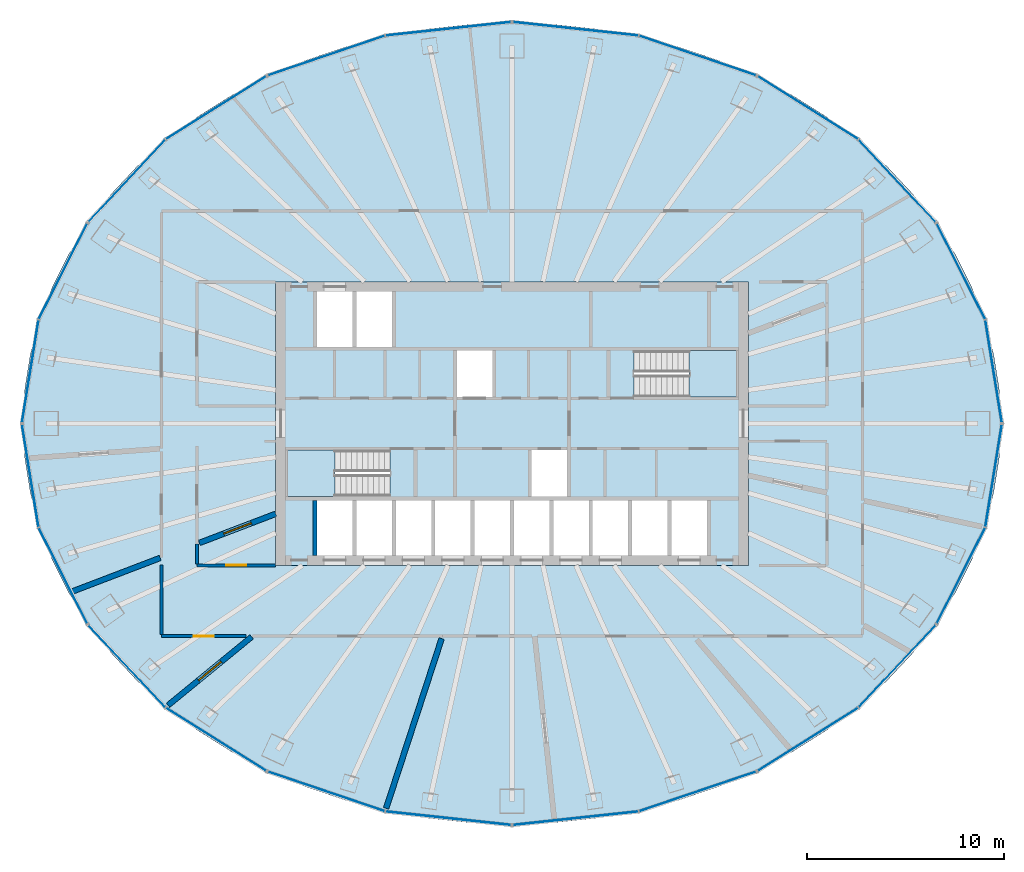
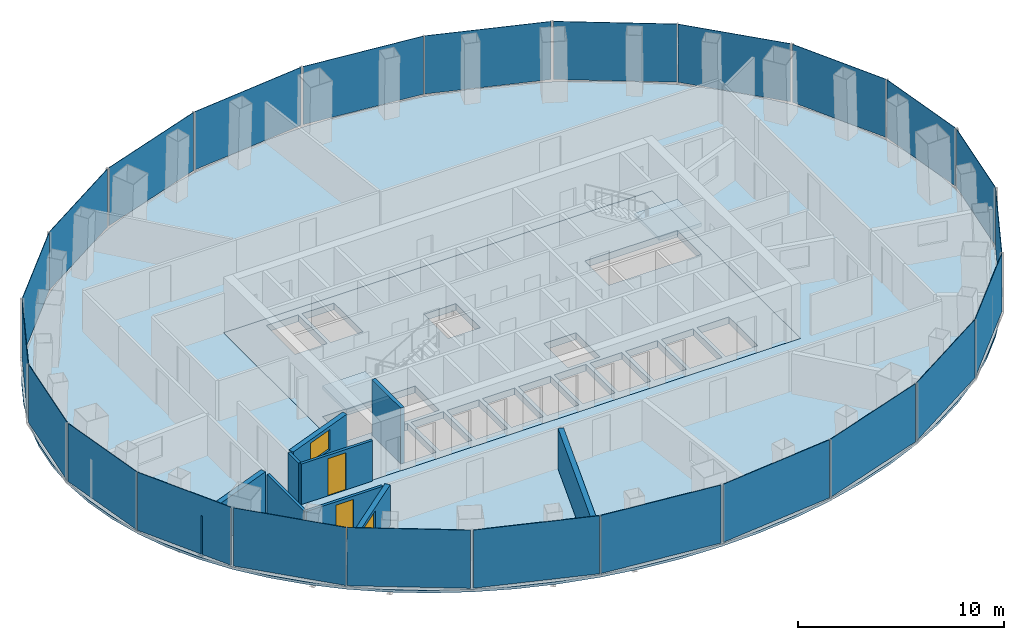
# One storey, part 7 of 12: 24 plates, 9 walls, 4 slabs, 2 doors, 2 windows, 4 openings, 14 elements without a shape of their own.
"""IFC4 building model written with IfcOpenShell, lengths in metres."""

from ifc_helpers import new_model, si_unit, direction, frame, frame_2d, origin, origin_2d, place, context, subcontext, project, spatial, polyline, rectangle, outline, extrude, material, layer, layer_set, type_object, element, fill, aggregate, save


model = new_model("IFC4")

# Units and contexts
model_context = context("Model", 3, precision=1e-05, world=origin(), true_north=direction((0.0, 1.0)))
body_context = subcontext(model_context, "Body", "Model", "MODEL_VIEW")
ifc_project = project(units=[si_unit("LENGTHUNIT", "METRE"), si_unit("AREAUNIT", "SQUARE_METRE"), si_unit("VOLUMEUNIT", "CUBIC_METRE"), si_unit("PLANEANGLEUNIT", "RADIAN"), si_unit("MASSUNIT", "GRAM", prefix="KILO")], contexts=[model_context])

# Site, building, storey
site_placement = place(None, origin())
site = spatial("IfcSite", under=ifc_project, at=site_placement, CompositionType="ELEMENT")
building_placement = place(site_placement, origin())
building = spatial("IfcBuilding", under=site, at=building_placement, Name="Siaravel Broadcast Tower", CompositionType="ELEMENT")
storey_placement = place(building_placement, frame((0.0, 0.0, 137.800048828125)))
storey = spatial("IfcBuildingStorey", under=building, at=storey_placement, Name="L33", CompositionType="ELEMENT", Elevation=137.800048828125)

# Curtain wall, plates
ifc_material_1 = material(Name="Aluminium 6063-T6", Category="aluminium")
ifc_layer_1 = layer(ifc_material_1, 0.199951171875)
ifc_layer_set_1 = layer_set([ifc_layer_1], Name="Aluminium 6063-T6")
curtain_wall_type = type_object("IfcCurtainWallType", Name="Unitised curtain wall, zone 2", PredefinedType="NOTDEFINED", material=ifc_layer_set_1)
curtain_wall_1_placement = place(storey_placement, origin())
curtain_wall_1 = element("IfcCurtainWall", 1, at=curtain_wall_1_placement, inside=storey, type_object=curtain_wall_type, Name="L33 Unitised curtain wall, zone 2 01", PredefinedType="NOTDEFINED")
ifc_material_2 = material(Name="Tinted laminated glass", Category="glass")
ifc_layer_2 = layer(ifc_material_2, 0.030029296875)
ifc_layer_set_2 = layer_set([ifc_layer_2], Name="Tinted laminated glass")
plate_type = type_object("IfcPlateType", Name="CW-Z2 glass panel", PredefinedType="CURTAIN_PANEL", material=ifc_layer_set_2)
plate_1_placement = place(storey_placement, frame((24.4599609375, 2.656494140625, 0.10986328125), z_axis=(0.0, 0.0, 1.0), x_axis=(-0.158684773, 0.987329298, 0.0)))
plate_1 = element("IfcPlate", 2, at=plate_1_placement, type_object=plate_type, Name="CW-Z2 glass panel", PredefinedType="CURTAIN_PANEL", context=body_context, shape_type="SweptSolid", body=[
    extrude(rectangle(XDim=5.251220703125, YDim=0.030029296875, at=origin_2d()), origin(), (0.0, 0.0, 1.0), 3.43994140625),
])
plate_2_placement = place(storey_placement, frame((22.801513671875, 7.7265625, 0.10986328125), z_axis=(0.0, 0.0, 1.0), x_axis=(-0.451259145, 0.892392954, 0.0)))
plate_2 = element("IfcPlate", 3, at=plate_2_placement, type_object=plate_type, Name="CW-Z2 glass panel", PredefinedType="CURTAIN_PANEL", context=body_context, shape_type="SweptSolid", body=[
    extrude(rectangle(XDim=5.415771484375, YDim=0.030029296875, at=origin_2d()), origin(), (0.0, 0.0, 1.0), 3.43994140625),
])
aggregate(curtain_wall_1, [plate_1, plate_2])

curtain_wall_2_placement = place(storey_placement, origin())
curtain_wall_2 = element("IfcCurtainWall", 4, at=curtain_wall_2_placement, inside=storey, type_object=curtain_wall_type, Name="L33 Unitised curtain wall, zone 2 02", PredefinedType="NOTDEFINED")
plate_3_placement = place(storey_placement, frame((19.56103515625, 12.324462890625, 0.10986328125), z_axis=(0.0, 0.0, 1.0), x_axis=(-0.683653326, 0.729806913, 0.0)))
plate_3 = element("IfcPlate", 5, at=plate_3_placement, type_object=plate_type, Name="CW-Z2 glass panel", PredefinedType="CURTAIN_PANEL", context=body_context, shape_type="SweptSolid", body=[
    extrude(rectangle(XDim=5.689453125, YDim=0.030029296875, at=origin_2d()), origin(), (0.0, 0.0, 1.0), 3.43994140625),
])
plate_4_placement = place(storey_placement, frame((15.03076171875, 16.035400390625, 0.10986328125), z_axis=(0.0, 0.0, 1.0), x_axis=(-0.846649374, 0.532151141, 0.0)))
plate_4 = element("IfcPlate", 6, at=plate_4_placement, type_object=plate_type, Name="CW-Z2 glass panel", PredefinedType="CURTAIN_PANEL", context=body_context, shape_type="SweptSolid", body=[
    extrude(rectangle(XDim=5.990234375, YDim=0.030029296875, at=origin_2d()), origin(), (0.0, 0.0, 1.0), 3.43994140625),
])
aggregate(curtain_wall_2, [plate_3, plate_4])

curtain_wall_3_placement = place(storey_placement, origin())
curtain_wall_3 = element("IfcCurtainWall", 7, at=curtain_wall_3_placement, inside=storey, type_object=curtain_wall_type, Name="L33 Unitised curtain wall, zone 2 03", PredefinedType="NOTDEFINED")
plate_5_placement = place(storey_placement, frame((9.424072265625, 18.68701171875, 0.10986328125), z_axis=(0.0, 0.0, 1.0), x_axis=(-0.946976749, 0.321302097, 0.0)))
plate_5 = element("IfcPlate", 8, at=plate_5_placement, type_object=plate_type, Name="CW-Z2 glass panel", PredefinedType="CURTAIN_PANEL", context=body_context, shape_type="SweptSolid", body=[
    extrude(rectangle(XDim=6.2392578125, YDim=0.030029296875, at=origin_2d()), origin(), (0.0, 0.0, 1.0), 3.43994140625),
])
plate_6_placement = place(storey_placement, frame((3.235595703125, 20.04541015625, 0.10986328125), z_axis=(0.0, 0.0, 1.0), x_axis=(-0.994235532, 0.107218035, 0.0)))
plate_6 = element("IfcPlate", 9, at=plate_6_placement, type_object=plate_type, Name="CW-Z2 glass panel", PredefinedType="CURTAIN_PANEL", context=body_context, shape_type="SweptSolid", body=[
    extrude(rectangle(XDim=6.37890625, YDim=0.030029296875, at=origin_2d()), origin(), (0.0, 0.0, 1.0), 3.43994140625),
])
aggregate(curtain_wall_3, [plate_5, plate_6])

curtain_wall_4_placement = place(storey_placement, origin())
curtain_wall_4 = element("IfcCurtainWall", 10, at=curtain_wall_4_placement, inside=storey, type_object=curtain_wall_type, Name="L33 Unitised curtain wall, zone 2 04", PredefinedType="NOTDEFINED")
plate_7_placement = place(storey_placement, frame((-3.235595703125, 20.04541015625, 0.10986328125), z_axis=(0.0, 0.0, 1.0), x_axis=(-0.994235532, -0.107218035, 0.0)))
plate_7 = element("IfcPlate", 11, at=plate_7_placement, type_object=plate_type, Name="CW-Z2 glass panel", PredefinedType="CURTAIN_PANEL", context=body_context, shape_type="SweptSolid", body=[
    extrude(rectangle(XDim=6.37890625, YDim=0.030029296875, at=origin_2d()), origin(), (0.0, 0.0, 1.0), 3.43994140625),
])
plate_8_placement = place(storey_placement, frame((-9.424072265625, 18.68701171875, 0.10986328125), z_axis=(0.0, 0.0, 1.0), x_axis=(-0.946976749, -0.321302097, 0.0)))
plate_8 = element("IfcPlate", 12, at=plate_8_placement, type_object=plate_type, Name="CW-Z2 glass panel", PredefinedType="CURTAIN_PANEL", context=body_context, shape_type="SweptSolid", body=[
    extrude(rectangle(XDim=6.2392578125, YDim=0.030029296875, at=origin_2d()), origin(), (0.0, 0.0, 1.0), 3.43994140625),
])
aggregate(curtain_wall_4, [plate_7, plate_8])

curtain_wall_5_placement = place(storey_placement, origin())
curtain_wall_5 = element("IfcCurtainWall", 13, at=curtain_wall_5_placement, inside=storey, type_object=curtain_wall_type, Name="L33 Unitised curtain wall, zone 2 05", PredefinedType="NOTDEFINED")
plate_9_placement = place(storey_placement, frame((-15.03076171875, 16.035400390625, 0.10986328125), z_axis=(0.0, 0.0, 1.0), x_axis=(-0.846649374, -0.532151141, 0.0)))
plate_9 = element("IfcPlate", 14, at=plate_9_placement, type_object=plate_type, Name="CW-Z2 glass panel", PredefinedType="CURTAIN_PANEL", context=body_context, shape_type="SweptSolid", body=[
    extrude(rectangle(XDim=5.990234375, YDim=0.030029296875, at=origin_2d()), origin(), (0.0, 0.0, 1.0), 3.43994140625),
])
plate_10_placement = place(storey_placement, frame((-19.56103515625, 12.324462890625, 0.10986328125), z_axis=(0.0, 0.0, 1.0), x_axis=(-0.683653326, -0.729806913, 0.0)))
plate_10 = element("IfcPlate", 15, at=plate_10_placement, type_object=plate_type, Name="CW-Z2 glass panel", PredefinedType="CURTAIN_PANEL", context=body_context, shape_type="SweptSolid", body=[
    extrude(rectangle(XDim=5.689453125, YDim=0.030029296875, at=origin_2d()), origin(), (0.0, 0.0, 1.0), 3.43994140625),
])
aggregate(curtain_wall_5, [plate_9, plate_10])

curtain_wall_6_placement = place(storey_placement, origin())
curtain_wall_6 = element("IfcCurtainWall", 16, at=curtain_wall_6_placement, inside=storey, type_object=curtain_wall_type, Name="L33 Unitised curtain wall, zone 2 06", PredefinedType="NOTDEFINED")
plate_11_placement = place(storey_placement, frame((-22.801513671875, 7.7265625, 0.10986328125), z_axis=(0.0, 0.0, 1.0), x_axis=(-0.451259145, -0.892392954, 0.0)))
plate_11 = element("IfcPlate", 17, at=plate_11_placement, type_object=plate_type, Name="CW-Z2 glass panel", PredefinedType="CURTAIN_PANEL", context=body_context, shape_type="SweptSolid", body=[
    extrude(rectangle(XDim=5.415771484375, YDim=0.030029296875, at=origin_2d()), origin(), (0.0, 0.0, 1.0), 3.43994140625),
])
plate_12_placement = place(storey_placement, frame((-24.4599609375, 2.656494140625, 0.10986328125), z_axis=(0.0, 0.0, 1.0), x_axis=(-0.158684773, -0.987329298, 0.0)))
plate_12 = element("IfcPlate", 18, at=plate_12_placement, type_object=plate_type, Name="CW-Z2 glass panel", PredefinedType="CURTAIN_PANEL", context=body_context, shape_type="SweptSolid", body=[
    extrude(rectangle(XDim=5.251220703125, YDim=0.030029296875, at=origin_2d()), origin(), (0.0, 0.0, 1.0), 3.43994140625),
])
aggregate(curtain_wall_6, [plate_11, plate_12])

curtain_wall_7_placement = place(storey_placement, origin())
curtain_wall_7 = element("IfcCurtainWall", 19, at=curtain_wall_7_placement, inside=storey, type_object=curtain_wall_type, Name="L33 Unitised curtain wall, zone 2 07", PredefinedType="NOTDEFINED")
plate_13_placement = place(storey_placement, frame((-24.4599609375, -2.656494140625, 0.10986328125), z_axis=(0.0, 0.0, 1.0), x_axis=(0.158684773, -0.987329298, 0.0)))
plate_13 = element("IfcPlate", 20, at=plate_13_placement, type_object=plate_type, Name="CW-Z2 glass panel", PredefinedType="CURTAIN_PANEL", context=body_context, shape_type="SweptSolid", body=[
    extrude(rectangle(XDim=5.251220703125, YDim=0.030029296875, at=origin_2d()), origin(), (0.0, 0.0, 1.0), 3.43994140625),
])
plate_14_placement = place(storey_placement, frame((-22.801513671875, -7.7265625, 0.10986328125), z_axis=(0.0, 0.0, 1.0), x_axis=(0.451259145, -0.892392954, 0.0)))
plate_14 = element("IfcPlate", 21, at=plate_14_placement, type_object=plate_type, Name="CW-Z2 glass panel", PredefinedType="CURTAIN_PANEL", context=body_context, shape_type="SweptSolid", body=[
    extrude(rectangle(XDim=5.415771484375, YDim=0.030029296875, at=origin_2d()), origin(), (0.0, 0.0, 1.0), 3.43994140625),
])
aggregate(curtain_wall_7, [plate_13, plate_14])

curtain_wall_8_placement = place(storey_placement, origin())
curtain_wall_8 = element("IfcCurtainWall", 22, at=curtain_wall_8_placement, inside=storey, type_object=curtain_wall_type, Name="L33 Unitised curtain wall, zone 2 08", PredefinedType="NOTDEFINED")
plate_15_placement = place(storey_placement, frame((-19.56103515625, -12.324462890625, 0.10986328125), z_axis=(0.0, 0.0, 1.0), x_axis=(0.683653326, -0.729806913, 0.0)))
plate_15 = element("IfcPlate", 23, at=plate_15_placement, type_object=plate_type, Name="CW-Z2 glass panel", PredefinedType="CURTAIN_PANEL", context=body_context, shape_type="SweptSolid", body=[
    extrude(rectangle(XDim=5.689453125, YDim=0.030029296875, at=origin_2d()), origin(), (0.0, 0.0, 1.0), 3.43994140625),
])
plate_16_placement = place(storey_placement, frame((-15.03076171875, -16.035400390625, 0.10986328125), z_axis=(0.0, 0.0, 1.0), x_axis=(0.846649374, -0.532151141, 0.0)))
plate_16 = element("IfcPlate", 24, at=plate_16_placement, type_object=plate_type, Name="CW-Z2 glass panel", PredefinedType="CURTAIN_PANEL", context=body_context, shape_type="SweptSolid", body=[
    extrude(rectangle(XDim=5.990234375, YDim=0.030029296875, at=origin_2d()), origin(), (0.0, 0.0, 1.0), 3.43994140625),
])
aggregate(curtain_wall_8, [plate_15, plate_16])

curtain_wall_9_placement = place(storey_placement, origin())
curtain_wall_9 = element("IfcCurtainWall", 25, at=curtain_wall_9_placement, inside=storey, type_object=curtain_wall_type, Name="L33 Unitised curtain wall, zone 2 09", PredefinedType="NOTDEFINED")
plate_17_placement = place(storey_placement, frame((-9.424072265625, -18.68701171875, 0.10986328125), z_axis=(0.0, 0.0, 1.0), x_axis=(0.946976749, -0.321302097, 0.0)))
plate_17 = element("IfcPlate", 26, at=plate_17_placement, type_object=plate_type, Name="CW-Z2 glass panel", PredefinedType="CURTAIN_PANEL", context=body_context, shape_type="SweptSolid", body=[
    extrude(rectangle(XDim=6.2392578125, YDim=0.030029296875, at=origin_2d()), origin(), (0.0, 0.0, 1.0), 3.43994140625),
])
plate_18_placement = place(storey_placement, frame((-3.235595703125, -20.04541015625, 0.10986328125), z_axis=(0.0, 0.0, 1.0), x_axis=(0.994235532, -0.107218035, 0.0)))
plate_18 = element("IfcPlate", 27, at=plate_18_placement, type_object=plate_type, Name="CW-Z2 glass panel", PredefinedType="CURTAIN_PANEL", context=body_context, shape_type="SweptSolid", body=[
    extrude(rectangle(XDim=6.37890625, YDim=0.030029296875, at=origin_2d()), origin(), (0.0, 0.0, 1.0), 3.43994140625),
])
aggregate(curtain_wall_9, [plate_17, plate_18])

curtain_wall_10_placement = place(storey_placement, origin())
curtain_wall_10 = element("IfcCurtainWall", 28, at=curtain_wall_10_placement, inside=storey, type_object=curtain_wall_type, Name="L33 Unitised curtain wall, zone 2 10", PredefinedType="NOTDEFINED")
plate_19_placement = place(storey_placement, frame((3.235595703125, -20.04541015625, 0.10986328125), z_axis=(0.0, 0.0, 1.0), x_axis=(0.994235532, 0.107218035, 0.0)))
plate_19 = element("IfcPlate", 29, at=plate_19_placement, type_object=plate_type, Name="CW-Z2 glass panel", PredefinedType="CURTAIN_PANEL", context=body_context, shape_type="SweptSolid", body=[
    extrude(rectangle(XDim=6.37890625, YDim=0.030029296875, at=origin_2d()), origin(), (0.0, 0.0, 1.0), 3.43994140625),
])
plate_20_placement = place(storey_placement, frame((9.424072265625, -18.68701171875, 0.10986328125), z_axis=(0.0, 0.0, 1.0), x_axis=(0.946976749, 0.321302097, 0.0)))
plate_20 = element("IfcPlate", 30, at=plate_20_placement, type_object=plate_type, Name="CW-Z2 glass panel", PredefinedType="CURTAIN_PANEL", context=body_context, shape_type="SweptSolid", body=[
    extrude(rectangle(XDim=6.2392578125, YDim=0.030029296875, at=origin_2d()), origin(), (0.0, 0.0, 1.0), 3.43994140625),
])
aggregate(curtain_wall_10, [plate_19, plate_20])

curtain_wall_11_placement = place(storey_placement, origin())
curtain_wall_11 = element("IfcCurtainWall", 31, at=curtain_wall_11_placement, inside=storey, type_object=curtain_wall_type, Name="L33 Unitised curtain wall, zone 2 11", PredefinedType="NOTDEFINED")
plate_21_placement = place(storey_placement, frame((15.03076171875, -16.035400390625, 0.10986328125), z_axis=(0.0, 0.0, 1.0), x_axis=(0.846649374, 0.532151141, 0.0)))
plate_21 = element("IfcPlate", 32, at=plate_21_placement, type_object=plate_type, Name="CW-Z2 glass panel", PredefinedType="CURTAIN_PANEL", context=body_context, shape_type="SweptSolid", body=[
    extrude(rectangle(XDim=5.990234375, YDim=0.030029296875, at=origin_2d()), origin(), (0.0, 0.0, 1.0), 3.43994140625),
])
plate_22_placement = place(storey_placement, frame((19.56103515625, -12.324462890625, 0.10986328125), z_axis=(0.0, 0.0, 1.0), x_axis=(0.683653326, 0.729806913, 0.0)))
plate_22 = element("IfcPlate", 33, at=plate_22_placement, type_object=plate_type, Name="CW-Z2 glass panel", PredefinedType="CURTAIN_PANEL", context=body_context, shape_type="SweptSolid", body=[
    extrude(rectangle(XDim=5.689453125, YDim=0.030029296875, at=origin_2d()), origin(), (0.0, 0.0, 1.0), 3.43994140625),
])
aggregate(curtain_wall_11, [plate_21, plate_22])

curtain_wall_12_placement = place(storey_placement, origin())
curtain_wall_12 = element("IfcCurtainWall", 34, at=curtain_wall_12_placement, inside=storey, type_object=curtain_wall_type, Name="L33 Unitised curtain wall, zone 2 12", PredefinedType="NOTDEFINED")
plate_23_placement = place(storey_placement, frame((22.801513671875, -7.7265625, 0.10986328125), z_axis=(0.0, 0.0, 1.0), x_axis=(0.451259145, 0.892392954, 0.0)))
plate_23 = element("IfcPlate", 35, at=plate_23_placement, type_object=plate_type, Name="CW-Z2 glass panel", PredefinedType="CURTAIN_PANEL", context=body_context, shape_type="SweptSolid", body=[
    extrude(rectangle(XDim=5.415771484375, YDim=0.030029296875, at=origin_2d()), origin(), (0.0, 0.0, 1.0), 3.43994140625),
])
plate_24_placement = place(storey_placement, frame((24.4599609375, -2.656494140625, 0.10986328125), z_axis=(0.0, 0.0, 1.0), x_axis=(0.158684773, 0.987329298, 0.0)))
plate_24 = element("IfcPlate", 36, at=plate_24_placement, type_object=plate_type, Name="CW-Z2 glass panel", PredefinedType="CURTAIN_PANEL", context=body_context, shape_type="SweptSolid", body=[
    extrude(rectangle(XDim=5.251220703125, YDim=0.030029296875, at=origin_2d()), origin(), (0.0, 0.0, 1.0), 3.43994140625),
])
aggregate(curtain_wall_12, [plate_23, plate_24])

# Slabs
ifc_material_3 = material(Name="Concrete C40/50", Category="concrete")
ifc_layer_3 = layer(ifc_material_3, 0.39990234375)
ifc_layer_set_3 = layer_set([ifc_layer_3], Name="Concrete C40/50")
slab_type_1 = type_object("IfcSlabType", Name="Core floor slab 400", PredefinedType="FLOOR", material=ifc_layer_set_3)
slab_1_placement = place(storey_placement, frame((0.0, 0.0, -0.400146484375)))
element("IfcSlab", 37, at=slab_1_placement, inside=storey, type_object=slab_type_1, Name="L33 core floor", PredefinedType="FLOOR", context=body_context, shape_type="SweptSolid", body=[
    extrude(outline(polyline([(-12.0, -7.199951171875), (-12.0, 7.199951171875), (12.0, 7.199951171875), (12.0, -7.199951171875), (-12.0, -7.199951171875)]), holes=[polyline([(11.3994140625, 1.3505859375), (11.3994140625, 3.699462890625), (6.200439453125, 3.699462890625), (6.200439453125, 1.3505859375), (11.3994140625, 1.3505859375)]), polyline([(9.89990234375, -3.89990234375), (8.10009765625, -3.89990234375), (8.10009765625, -6.699951171875), (9.89990234375, -6.699951171875), (9.89990234375, -3.89990234375)]), polyline([(7.89990234375, -3.89990234375), (6.10009765625, -3.89990234375), (6.10009765625, -6.699951171875), (7.89990234375, -6.699951171875), (7.89990234375, -3.89990234375)]), polyline([(5.89990234375, -3.89990234375), (4.10009765625, -3.89990234375), (4.10009765625, -6.699951171875), (5.89990234375, -6.699951171875), (5.89990234375, -3.89990234375)]), polyline([(3.89990234375, -3.89990234375), (2.10009765625, -3.89990234375), (2.10009765625, -6.699951171875), (3.89990234375, -6.699951171875), (3.89990234375, -3.89990234375)]), polyline([(2.800048828125, -1.35009765625), (1.0, -1.35009765625), (1.0, -3.699951171875), (2.800048828125, -3.699951171875), (2.800048828125, -1.35009765625)]), polyline([(1.89990234375, -3.89990234375), (0.10009765625, -3.89990234375), (0.10009765625, -6.699951171875), (1.89990234375, -6.699951171875), (1.89990234375, -3.89990234375)]), polyline([(-0.10009765625, -3.89990234375), (-1.89990234375, -3.89990234375), (-1.89990234375, -6.699951171875), (-0.10009765625, -6.699951171875), (-0.10009765625, -3.89990234375)]), polyline([(-1.0, 3.699951171875), (-2.800048828125, 3.699951171875), (-2.800048828125, 1.35009765625), (-1.0, 1.35009765625), (-1.0, 3.699951171875)]), polyline([(-2.10009765625, -3.89990234375), (-3.89990234375, -3.89990234375), (-3.89990234375, -6.699951171875), (-2.10009765625, -6.699951171875), (-2.10009765625, -3.89990234375)]), polyline([(-4.10009765625, -3.89990234375), (-5.89990234375, -3.89990234375), (-5.89990234375, -6.699951171875), (-4.10009765625, -6.699951171875), (-4.10009765625, -3.89990234375)]), polyline([(-6.10009765625, -3.89990234375), (-7.89990234375, -3.89990234375), (-7.89990234375, -6.699951171875), (-6.10009765625, -6.699951171875), (-6.10009765625, -3.89990234375)]), polyline([(-6.10009765625, 6.699951171875), (-7.89990234375, 6.699951171875), (-7.89990234375, 3.89990234375), (-6.10009765625, 3.89990234375), (-6.10009765625, 6.699951171875)]), polyline([(-11.3994140625, -1.3505859375), (-11.3994140625, -3.699462890625), (-6.200439453125, -3.699462890625), (-6.200439453125, -1.3505859375), (-11.3994140625, -1.3505859375)]), polyline([(-8.10009765625, -3.89990234375), (-9.89990234375, -3.89990234375), (-9.89990234375, -6.699951171875), (-8.10009765625, -6.699951171875), (-8.10009765625, -3.89990234375)]), polyline([(-8.10009765625, 6.699951171875), (-9.89990234375, 6.699951171875), (-9.89990234375, 3.89990234375), (-8.10009765625, 3.89990234375), (-8.10009765625, 6.699951171875)])]), origin(), (0.0, 0.0, 1.0), 0.400146484375),
])
ifc_layer_4 = layer(ifc_material_3, 0.14990234375)
ifc_layer_set_4 = layer_set([ifc_layer_4], Name="Concrete C40/50")
slab_type_2 = type_object("IfcSlabType", Name="SLB-FLOOR-150", PredefinedType="FLOOR", material=ifc_layer_set_4)
slab_2_placement = place(storey_placement, frame((0.0, 0.0, -0.150146484375)))
element("IfcSlab", 38, at=slab_2_placement, inside=storey, type_object=slab_type_2, Name="Floor slab", PredefinedType="FLOOR", context=body_context, shape_type="SweptSolid", body=[
    extrude(outline(polyline([(24.8369140625, 0.0), (24.742431640625, 1.773193359375), (24.459716796875, 3.53271484375), (23.990478515625, 5.265380859375), (23.339111328125, 6.958251953125), (22.510009765625, 8.597900390625), (21.509521484375, 10.172119140625), (20.34521484375, 11.6689453125), (19.026123046875, 13.0771484375), (17.562255859375, 14.385498046875), (15.96484375, 15.584716796875), (14.245849609375, 16.6650390625), (12.41845703125, 17.61865234375), (10.49658203125, 18.438232421875), (8.49462890625, 19.117431640625), (6.42822265625, 19.651123046875), (4.31298828125, 20.03515625), (2.164794921875, 20.266845703125), (0.0, 20.34423828125), (-2.164794921875, 20.266845703125), (-4.31298828125, 20.03515625), (-6.42822265625, 19.651123046875), (-8.49462890625, 19.117431640625), (-10.49658203125, 18.438232421875), (-12.41845703125, 17.61865234375), (-14.245849609375, 16.6650390625), (-15.96484375, 15.584716796875), (-17.562255859375, 14.385498046875), (-19.026123046875, 13.0771484375), (-20.34521484375, 11.6689453125), (-21.509521484375, 10.172119140625), (-22.510009765625, 8.597900390625), (-23.339111328125, 6.958251953125), (-23.990478515625, 5.265380859375), (-24.459716796875, 3.53271484375), (-24.742431640625, 1.773193359375), (-24.8369140625, 0.0), (-24.742431640625, -1.773193359375), (-24.459716796875, -3.53271484375), (-23.990478515625, -5.265380859375), (-23.339111328125, -6.958251953125), (-22.510009765625, -8.597900390625), (-21.509521484375, -10.172119140625), (-20.34521484375, -11.6689453125), (-19.026123046875, -13.0771484375), (-17.562255859375, -14.385498046875), (-15.96484375, -15.584716796875), (-14.245849609375, -16.6650390625), (-12.41845703125, -17.61865234375), (-10.49658203125, -18.438232421875), (-8.49462890625, -19.117431640625), (-6.42822265625, -19.651123046875), (-4.31298828125, -20.03515625), (-2.164794921875, -20.266845703125), (0.0, -20.34423828125), (2.164794921875, -20.266845703125), (4.31298828125, -20.03515625), (6.42822265625, -19.651123046875), (8.49462890625, -19.117431640625), (10.49658203125, -18.438232421875), (12.41845703125, -17.61865234375), (14.245849609375, -16.6650390625), (15.96484375, -15.584716796875), (17.562255859375, -14.385498046875), (19.026123046875, -13.0771484375), (20.34521484375, -11.6689453125), (21.509521484375, -10.172119140625), (22.510009765625, -8.597900390625), (23.339111328125, -6.958251953125), (23.990478515625, -5.265380859375), (24.459716796875, -3.53271484375), (24.742431640625, -1.773193359375), (24.8369140625, 0.0)]), holes=[polyline([(-12.0, 7.199951171875), (12.0, 7.199951171875), (12.0, -7.199951171875), (-12.0, -7.199951171875), (-12.0, 7.199951171875)])]), origin(), (0.0, 0.0, 1.0), 0.150146484375),
])

# Stair, slab
stair_type = type_object("IfcStairType", Name="Core exit stair", PredefinedType="HALF_TURN_STAIR", material=ifc_material_3)
stair_1_placement = place(storey_placement, origin())
stair_1 = element("IfcStair", 39, at=stair_1_placement, inside=storey, type_object=stair_type, Name="L33 Exit stair ST-1", PredefinedType="HALF_TURN_STAIR")
ifc_layer_5 = layer(ifc_material_3, 0.199951171875)
ifc_layer_set_5 = layer_set([ifc_layer_5], Name="Concrete C40/50")
slab_type_3 = type_object("IfcSlabType", Name="Stair landing", PredefinedType="LANDING", material=ifc_layer_set_5)
slab_3_placement = place(storey_placement, frame((0.0, 0.0, 1.64990234375)))
slab_3 = element("IfcSlab", 40, at=slab_3_placement, type_object=slab_type_3, Name="ST-1 landing 1", PredefinedType="LANDING", context=body_context, shape_type="SweptSolid", body=[
    extrude(outline(polyline([(-9.0, -1.35009765625), (-11.39990234375, -1.35009765625), (-11.39990234375, -3.699951171875), (-9.0, -3.699951171875), (-9.0, -1.35009765625)])), origin(), (0.0, 0.0, 1.0), 0.199951171875),
])
aggregate(stair_1, [slab_3])

stair_2_placement = place(storey_placement, origin())
stair_2 = element("IfcStair", 41, at=stair_2_placement, inside=storey, type_object=stair_type, Name="L33 Exit stair ST-2", PredefinedType="HALF_TURN_STAIR")
slab_4_placement = place(storey_placement, frame((0.0, 0.0, 1.64990234375)))
slab_4 = element("IfcSlab", 42, at=slab_4_placement, type_object=slab_type_3, Name="ST-2 landing 1", PredefinedType="LANDING", context=body_context, shape_type="SweptSolid", body=[
    extrude(outline(polyline([(9.0, 1.35009765625), (11.39990234375, 1.35009765625), (11.39990234375, 3.699951171875), (9.0, 3.699951171875), (9.0, 1.35009765625)])), origin(), (0.0, 0.0, 1.0), 0.199951171875),
])
aggregate(stair_2, [slab_4])

# Wall
ifc_material_4 = material(Name="Double-leaf acoustic partition", Category="gypsum")
ifc_layer_6 = layer(ifc_material_4, 0.280029296875)
ifc_layer_set_6 = layer_set([ifc_layer_6], Name="Double-leaf acoustic partition")
wall_type_1 = type_object("IfcWallType", Name="Acoustic double-leaf wall 280", PredefinedType="PARTITIONING", material=ifc_layer_set_6)
wall_1_placement = place(storey_placement, frame((-6.390625, -19.535888671875, 0.0), z_axis=(0.0, 0.0, 1.0), x_axis=(0.310914325, 0.950437943, 0.0)))
element("IfcWall", 43, at=wall_1_placement, inside=storey, type_object=wall_type_1, Name="L33 partition 6", PredefinedType="PARTITIONING", context=body_context, shape_type="SweptSolid", body=[
    extrude(rectangle(XDim=9.064697265625, YDim=0.280029296875, at=frame_2d((4.5322265625, 0.0))), origin(), (0.0, 0.0, 1.0), 2.39990234375),
])

# Wall, opening, window
wall_2_placement = place(storey_placement, frame((-17.466796875, -14.307373046875, 0.0), z_axis=(0.0, 0.0, 1.0), x_axis=(0.773600248, 0.633673935, 0.0)))
wall_2 = element("IfcWall", 44, at=wall_2_placement, inside=storey, type_object=wall_type_1, Name="L33 partition 17", PredefinedType="PARTITIONING", context=body_context, shape_type="SweptSolid", body=[
    extrude(rectangle(XDim=5.485595703125, YDim=0.280029296875, at=frame_2d((2.74267578125, 0.0))), origin(), (0.0, 0.0, 1.0), 2.39990234375),
])
opening_1_placement = place(wall_2_placement, frame((1.992919921875, 0.0, 1.0)))
opening_1 = element("IfcOpeningElement", 45, at=opening_1_placement, cuts=wall_2, Name="Opening L33-W03", PredefinedType="OPENING", context=body_context, shape_type="SweptSolid", body=[
    extrude(rectangle(XDim=1.5, YDim=1.199951171875, at=frame_2d((0.75, 0.60009765625))), frame((0.0, 0.14990234375, 0.0), z_axis=(0.0, -1.0, 0.0), x_axis=(1.0, 0.0, 0.0)), (0.0, 0.0, 1.0), 0.300048828125),
])
ifc_material_5 = material(Name="Laminated acoustic glass", Category="glass")
window_type = type_object("IfcWindowType", Name="Studio viewing window 1500", PartitioningType="SINGLE_PANEL", PredefinedType="WINDOW", material=ifc_material_5)
window_1_placement = place(opening_1_placement, origin())
window_1 = element("IfcWindow", 46, at=window_1_placement, inside=storey, type_object=window_type, Name="L33 viewing window to Post-production room", OverallHeight=1.199951171875, OverallWidth=1.5, PartitioningType="SINGLE_PANEL", PredefinedType="WINDOW", context=body_context, shape_type="SweptSolid", body=[
    extrude(rectangle(XDim=1.5, YDim=1.199951171875, at=frame_2d((0.75, 0.60009765625))), frame((0.0, 0.030029296875, 0.0), z_axis=(0.0, -1.0, 0.0), x_axis=(1.0, 0.0, 0.0)), (0.0, 0.0, 1.0), 0.06005859375),
])
fill(opening_1, window_1)

# Wall
wall_3_placement = place(storey_placement, frame((-22.3955078125, -8.55419921875, 0.0), z_axis=(0.0, 0.0, 1.0), x_axis=(0.934184204, 0.356791077, 0.0)))
element("IfcWall", 47, at=wall_3_placement, inside=storey, type_object=wall_type_1, Name="L33 partition 21", PredefinedType="PARTITIONING", context=body_context, shape_type="SweptSolid", body=[
    extrude(rectangle(XDim=4.847412109375, YDim=0.280029296875, at=frame_2d((2.423828125, 0.0))), origin(), (0.0, 0.0, 1.0), 2.39990234375),
])

# Wall, opening, window
wall_4_placement = place(storey_placement, frame((-15.873291015625, -6.06298828125, 0.0), z_axis=(0.0, 0.0, 1.0), x_axis=(0.934170215, 0.356827703, 0.0)))
wall_4 = element("IfcWall", 48, at=wall_4_placement, inside=storey, type_object=wall_type_1, Name="L33 partition 24", PredefinedType="PARTITIONING", context=body_context, shape_type="SweptSolid", body=[
    extrude(rectangle(XDim=4.146240234375, YDim=0.280029296875, at=frame_2d((2.0732421875, 0.0))), origin(), (0.0, 0.0, 1.0), 2.39990234375),
])
opening_2_placement = place(wall_4_placement, frame((1.322998046875, 0.0, 1.0)))
opening_2 = element("IfcOpeningElement", 49, at=opening_2_placement, cuts=wall_4, Name="Opening L33-W02", PredefinedType="OPENING", context=body_context, shape_type="SweptSolid", body=[
    extrude(rectangle(XDim=1.5, YDim=1.199951171875, at=frame_2d((0.75, 0.60009765625))), frame((0.0, 0.14990234375, 0.0), z_axis=(0.0, -1.0, 0.0), x_axis=(1.0, 0.0, 0.0)), (0.0, 0.0, 1.0), 0.300048828125),
])
window_2_placement = place(opening_2_placement, origin())
window_2 = element("IfcWindow", 50, at=window_2_placement, inside=storey, type_object=window_type, Name="L33 viewing window to Post-production room", OverallHeight=1.199951171875, OverallWidth=1.5, PartitioningType="SINGLE_PANEL", PredefinedType="WINDOW", context=body_context, shape_type="SweptSolid", body=[
    extrude(rectangle(XDim=1.5, YDim=1.199951171875, at=frame_2d((0.75, 0.60009765625))), frame((0.0, 0.030029296875, 0.0), z_axis=(0.0, -1.0, 0.0), x_axis=(1.0, 0.0, 0.0)), (0.0, 0.0, 1.0), 0.06005859375),
])
fill(opening_2, window_2)

# Wall, opening, door
ifc_material_6 = material(Name="Gypsum board partition", Category="gypsum")
ifc_layer_7 = layer(ifc_material_6, 0.14990234375)
ifc_layer_set_7 = layer_set([ifc_layer_7], Name="Gypsum board partition")
wall_type_2 = type_object("IfcWallType", Name="Corridor wall 150", PredefinedType="PARTITIONING", material=ifc_layer_set_7)
wall_5_placement = place(storey_placement, frame((-17.800048828125, -10.800048828125, 0.0), z_axis=(0.0, 0.0, 1.0), x_axis=(1.0, 0.0, 0.0)))
wall_5 = element("IfcWall", 51, at=wall_5_placement, inside=storey, type_object=wall_type_2, Name="L33 partition 23", PredefinedType="PARTITIONING", context=body_context, shape_type="SweptSolid", body=[
    extrude(rectangle(XDim=4.300537109375, YDim=0.14990234375, at=frame_2d((2.150390625, 0.0))), origin(), (0.0, 0.0, 1.0), 2.39990234375),
])
opening_3_placement = place(wall_5_placement, frame((1.650390625, 0.0, 0.0)))
opening_3 = element("IfcOpeningElement", 52, at=opening_3_placement, cuts=wall_5, Name="Opening L33-008", PredefinedType="OPENING", context=body_context, shape_type="SweptSolid", body=[
    extrude(rectangle(XDim=1.0, YDim=2.199951171875, at=frame_2d((0.5, 1.10009765625))), frame((0.0, 0.0849609375, 0.0), z_axis=(0.0, -1.0, 0.0), x_axis=(1.0, 0.0, 0.0)), (0.0, 0.0, 1.0), 0.169921875),
])
ifc_material_7 = material(Name="Acoustic timber and steel", Category="steel")
door_type = type_object("IfcDoorType", Name="Acoustic door 1000", OperationType="SINGLE_SWING_LEFT", PredefinedType="DOOR", material=ifc_material_7)
door_1_placement = place(opening_3_placement, origin())
door_1 = element("IfcDoor", 53, at=door_1_placement, inside=storey, type_object=door_type, Name="L33 door to Post-production room", OperationType="SINGLE_SWING_RIGHT", OverallHeight=2.199951171875, OverallWidth=1.0, PredefinedType="DOOR", context=body_context, shape_type="SweptSolid", body=[
    extrude(rectangle(XDim=1.0, YDim=2.199951171875, at=frame_2d((0.5, 1.10009765625))), frame((0.0, 0.02490234375, 0.0), z_axis=(0.0, -1.0, 0.0), x_axis=(1.0, 0.0, 0.0)), (0.0, 0.0, 1.0), 0.050048828125),
])
fill(opening_3, door_1)

wall_6_placement = place(storey_placement, frame((-12.0, -7.199951171875, 0.0), z_axis=(0.0, 0.0, 1.0), x_axis=(-1.0, 0.0, 0.0)))
wall_6 = element("IfcWall", 54, at=wall_6_placement, inside=storey, type_object=wall_type_2, Name="L33 partition 28", PredefinedType="PARTITIONING", context=body_context, shape_type="SweptSolid", body=[
    extrude(rectangle(XDim=4.0, YDim=0.14990234375, at=frame_2d((2.0, 0.0))), origin(), (0.0, 0.0, 1.0), 2.39990234375),
])
opening_4_placement = place(wall_6_placement, frame((1.5, 0.0, 0.0)))
opening_4 = element("IfcOpeningElement", 55, at=opening_4_placement, cuts=wall_6, Name="Opening L33-009", PredefinedType="OPENING", context=body_context, shape_type="SweptSolid", body=[
    extrude(rectangle(XDim=1.0, YDim=2.199951171875, at=frame_2d((0.5, 1.10009765625))), frame((0.0, 0.0849609375, 0.0), z_axis=(0.0, -1.0, 0.0), x_axis=(1.0, 0.0, 0.0)), (0.0, 0.0, 1.0), 0.169921875),
])
door_2_placement = place(opening_4_placement, origin())
door_2 = element("IfcDoor", 56, at=door_2_placement, inside=storey, type_object=door_type, Name="L33 door to Post-production room", OperationType="SINGLE_SWING_LEFT", OverallHeight=2.199951171875, OverallWidth=1.0, PredefinedType="DOOR", context=body_context, shape_type="SweptSolid", body=[
    extrude(rectangle(XDim=1.0, YDim=2.199951171875, at=frame_2d((0.5, 1.10009765625))), frame((0.0, 0.02490234375, 0.0), z_axis=(0.0, -1.0, 0.0), x_axis=(1.0, 0.0, 0.0)), (0.0, 0.0, 1.0), 0.050048828125),
])
fill(opening_4, door_2)

# Walls
wall_7_placement = place(storey_placement, frame((-17.800048828125, -7.18798828125, 0.0), z_axis=(0.0, 0.0, 1.0), x_axis=(0.0, -1.0, 0.0)))
element("IfcWall", 57, at=wall_7_placement, inside=storey, type_object=wall_type_2, Name="L33 partition 33", PredefinedType="PARTITIONING", context=body_context, shape_type="SweptSolid", body=[
    extrude(rectangle(XDim=3.534912109375, YDim=0.14990234375, at=frame_2d((1.767578125, 0.0))), origin(), (0.0, 0.0, 1.0), 2.39990234375),
])
wall_8_placement = place(storey_placement, frame((-16.0, -7.123046875, 0.0), z_axis=(0.0, 0.0, 1.0), x_axis=(0.0, 1.0, 0.0)))
element("IfcWall", 58, at=wall_8_placement, inside=storey, type_object=wall_type_2, Name="L33 partition 43", PredefinedType="PARTITIONING", context=body_context, shape_type="SweptSolid", body=[
    extrude(rectangle(XDim=1.0107421875, YDim=0.14990234375, at=frame_2d((0.50537109375, 0.0))), origin(), (0.0, 0.0, 1.0), 2.39990234375),
])
ifc_material_8 = material(Name="Concrete C60/75", Category="concrete")
ifc_layer_8 = layer(ifc_material_8, 0.199951171875)
ifc_layer_set_8 = layer_set([ifc_layer_8], Name="Concrete C60/75")
wall_type_3 = type_object("IfcWallType", Name="Shaft wall 200", PredefinedType="SHEAR", material=ifc_layer_set_8)
wall_9_placement = place(storey_placement, frame((-10.0, -6.699951171875, 0.0), z_axis=(0.0, 0.0, 1.0), x_axis=(0.0, 1.0, 0.0)))
element("IfcWall", 59, at=wall_9_placement, inside=storey, type_object=wall_type_3, Name="L33 core wall SWS0", PredefinedType="SHEAR", context=body_context, shape_type="SweptSolid", body=[
    extrude(rectangle(XDim=2.800048828125, YDim=0.199951171875, at=frame_2d((1.39990234375, 0.0))), origin(), (0.0, 0.0, 1.0), 3.300048828125),
])

save(model, "model.ifc")
